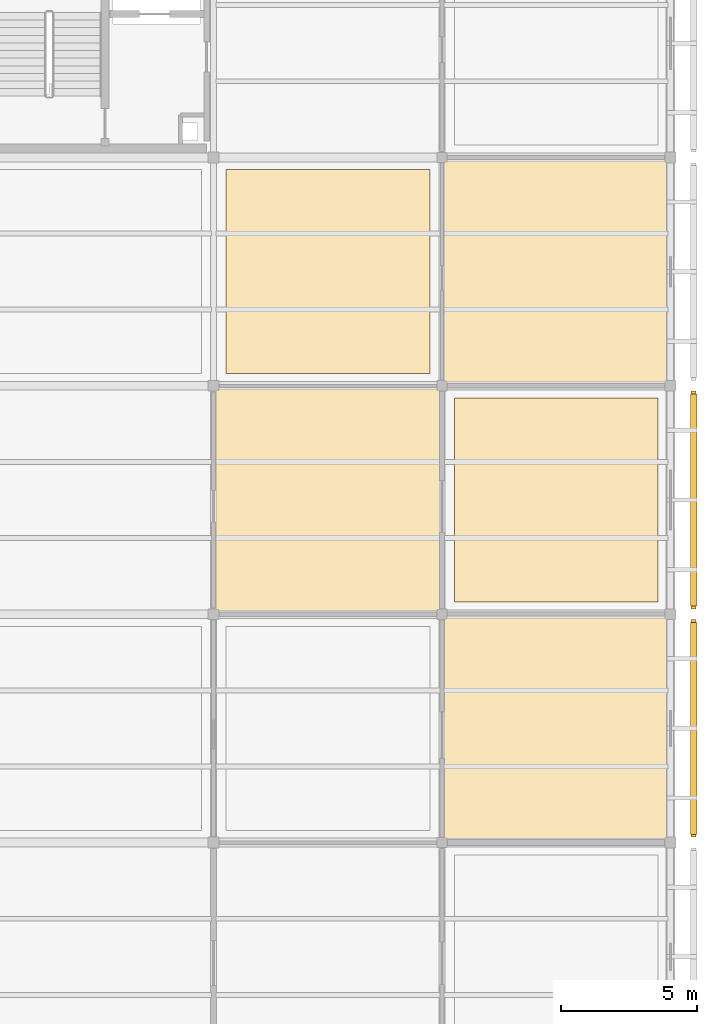
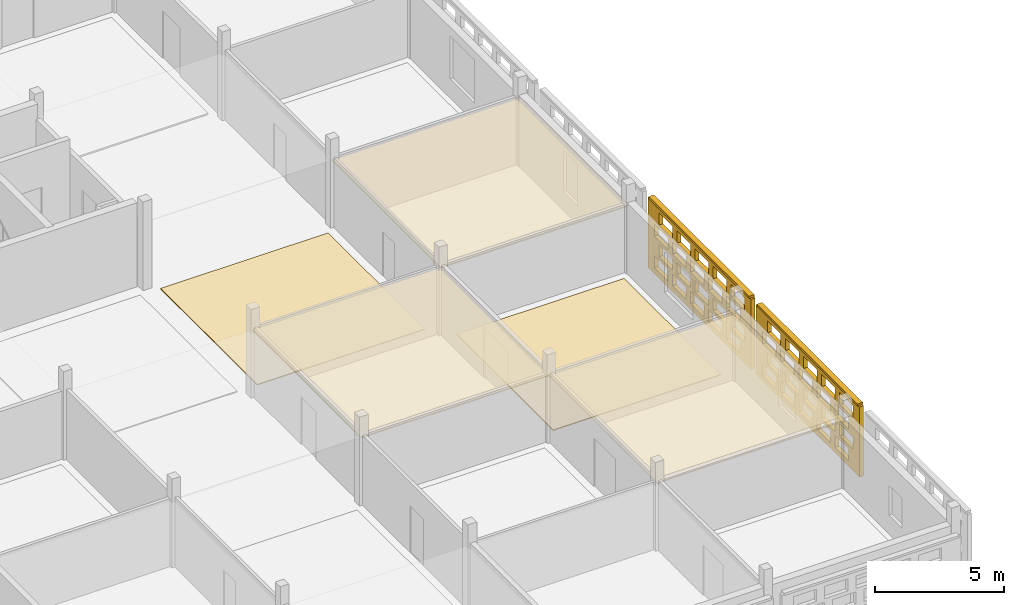
# One storey, part 134 of 140: 7 coverings, 2 shading devices, 40 openings.
"""IFC4 building model written with IfcOpenShell, lengths in metres."""

import ifcopenshell
import ifcopenshell.guid

model = None  # the IFC model being written
_history = None  # IfcOwnerHistory: only IFC2X3 demands one
_inside = {}  # id of a spatial element -> (the spatial element, [elements in it])
_under = {}  # id of a project, library or spatial element -> (it, [spatial elements below it])
_declared = {}  # id of a project -> (the project, [libraries it declares])
_typed = {}  # id of a type object -> (the type object, [elements of that type])
_made_of = {}  # id of a material, layer set ... -> (it, [elements and type objects made of it])


def new_model(schema):
    """Start an empty IFC model of exactly this schema.

    Asked for "IFC4X3", IfcOpenShell would pick the latest addendum, in which some entities
    have other attributes; the version numbers below select the first issue.
    IFC2X3 requires an IfcOwnerHistory on every rooted entity: one is made here for all.
    """
    global model, _history
    if schema == "IFC4X3":
        model = ifcopenshell.file(schema_version=(4, 3, 0, 0))
    else:
        model = ifcopenshell.file(schema=schema)
    _inside.clear()
    _under.clear()
    _declared.clear()
    _typed.clear()
    _made_of.clear()
    _history = None
    if model.schema == "IFC2X3":
        org = make("IfcOrganization", Name="unknown")
        user = make(
            "IfcPersonAndOrganization",
            ThePerson=make("IfcPerson", FamilyName="unknown"),
            TheOrganization=org,
        )
        app = make(
            "IfcApplication",
            ApplicationDeveloper=org,
            Version="unknown",
            ApplicationFullName="unknown",
            ApplicationIdentifier="unknown",
        )
        _history = make(
            "IfcOwnerHistory",
            OwningUser=user,
            OwningApplication=app,
            ChangeAction="ADDED",
            CreationDate=0,
        )
    return model


def make(cls, **values):
    """One entity of the class cls with the attributes given. An attribute that is None is left unset."""
    return model.create_entity(
        cls, **{name: value for name, value in values.items() if value is not None}
    )


def rooted(cls, **values):
    """An entity with a GlobalId (a new one), such as an element, a storey or a relation."""
    return make(cls, GlobalId=ifcopenshell.guid.new(), OwnerHistory=_history, **values)


def si_unit(unit_type, name, prefix=None):
    """IfcSIUnit, for example si_unit("LENGTHUNIT", "METRE", prefix="MILLI")."""
    return make("IfcSIUnit", UnitType=unit_type, Prefix=prefix, Name=name)


def assignment(units):
    """IfcUnitAssignment: the units of a project."""
    return None if units is None else make("IfcUnitAssignment", Units=units)


def point(xyz):
    """IfcCartesianPoint."""
    return None if xyz is None else make("IfcCartesianPoint", Coordinates=xyz)


def direction(xyz):
    """IfcDirection."""
    return None if xyz is None else make("IfcDirection", DirectionRatios=xyz)


def frame(location, z_axis=None, x_axis=None):
    """IfcAxis2Placement3D, a coordinate frame: its origin and axes. An axis left out is left unset."""
    return make(
        "IfcAxis2Placement3D",
        Location=point(location),
        Axis=direction(z_axis),
        RefDirection=direction(x_axis),
    )


def frame_2d(location, x_axis=None):
    """IfcAxis2Placement2D, a coordinate frame in the plane: its origin and x axis."""
    return make(
        "IfcAxis2Placement2D", Location=point(location), RefDirection=direction(x_axis)
    )


def origin():
    """The frame at (0, 0, 0) with its axes left unset."""
    return frame((0.0, 0.0, 0.0))


def origin_2d():
    """The frame at (0, 0) in the plane with its x axis left unset."""
    return frame_2d((0.0, 0.0))


def place(relative_to, where):
    """IfcLocalPlacement: puts the frame where relative to a parent placement (None: the world)."""
    return make(
        "IfcLocalPlacement", PlacementRelTo=relative_to, RelativePlacement=where
    )


def context(
    kind, dimensions, precision=None, world=None, true_north=None, identifier=None
):
    """IfcGeometricRepresentationContext, for example the 3D "Model" context."""
    return make(
        "IfcGeometricRepresentationContext",
        ContextIdentifier=identifier,
        ContextType=kind,
        CoordinateSpaceDimension=dimensions,
        Precision=precision,
        WorldCoordinateSystem=world,
        TrueNorth=true_north,
    )


def subcontext(parent, identifier, kind, view, scale=None):
    """IfcGeometricRepresentationSubContext, for example "Body" below "Model"."""
    return make(
        "IfcGeometricRepresentationSubContext",
        ContextIdentifier=identifier,
        ContextType=kind,
        ParentContext=parent,
        TargetScale=scale,
        TargetView=view,
    )


def project(units=None, contexts=None):
    """IfcProject with its units and contexts."""
    return rooted(
        "IfcProject",
        Name="project",
        RepresentationContexts=contexts,
        UnitsInContext=assignment(units),
    )


def spatial(cls, under=None, at=None, **own):
    """A site, building, storey or space (cls), placed at a placement, below another one or the project."""
    s = rooted(cls, ObjectPlacement=at, **own)
    if under is not None:
        _under.setdefault(under.id(), (under, []))[1].append(s)
    return s


def profile(cls, at=None, kind="AREA", **sizes):
    """A parametric profile (cls). Its sizes go by their IFC names, for example OverallWidth=200.0."""
    return make(cls, ProfileType=kind, Position=at, **sizes)


def rectangle(**sizes):
    """IfcRectangleProfileDef."""
    return profile("IfcRectangleProfileDef", **sizes)


def extrude(swept, where, along, depth):
    """IfcExtrudedAreaSolid: the profile swept, set in the frame where, extruded along a direction by depth."""
    return make(
        "IfcExtrudedAreaSolid",
        SweptArea=swept,
        Position=where,
        ExtrudedDirection=direction(along),
        Depth=depth,
    )


def shape(context_of_items, identifier, shape_type, items):
    """IfcShapeRepresentation: the items that make up one representation, for example the "Body"."""
    return make(
        "IfcShapeRepresentation",
        ContextOfItems=context_of_items,
        RepresentationIdentifier=identifier,
        RepresentationType=shape_type,
        Items=items,
    )


def material(Name=None, Category=None):
    """IfcMaterial."""
    return make("IfcMaterial", Name=Name, Category=Category)


def layer(
    of_material, thickness, ventilated=None, Name=None, Category=None, Priority=None
):
    """IfcMaterialLayer: one layer of a wall or slab, of a material (None: an air gap)."""
    return make(
        "IfcMaterialLayer",
        Material=of_material,
        LayerThickness=thickness,
        IsVentilated=ventilated,
        Name=Name,
        Category=Category,
        Priority=Priority,
    )


def layer_set(layers, Name=None):
    """IfcMaterialLayerSet."""
    return make("IfcMaterialLayerSet", MaterialLayers=layers, LayerSetName=Name)


def made_of(thing, what):
    """Note that an element or type object is made of a material, layer set ...; save() writes the relation."""
    if what is not None:
        _made_of.setdefault(what.id(), (what, []))[1].append(thing)
    return thing


def type_object(cls, material=None, **own):
    """A type object (cls), such as IfcWallType, which elements share."""
    return made_of(rooted(cls, **own), material)


def element(
    cls,
    number,
    at=None,
    inside=None,
    cuts=None,
    type_object=None,
    material=None,
    context=None,
    identifier="Body",
    shape_type=None,
    held_by="IfcProductDefinitionShape",
    body=None,
    shapes=None,
    **own,
):
    """One element of the class cls, such as IfcWall. Its Tag is "e" and its number.

    at: its placement. inside: the storey or other place that contains it. cuts: it is an
    opening in that element (IfcRelVoidsElement). A single representation is given by context,
    identifier, shape_type and body (its items); several are given by shapes. held_by: the class
    of the entity that holds the representations. save() writes the other relations.
    """
    e = rooted(cls, Tag="e%d" % number, ObjectPlacement=at, **own)
    if body is not None:
        shapes = [shape(context, identifier, shape_type, body)]
    if shapes is not None:
        e.Representation = make(held_by, Representations=shapes)
    if inside is not None:
        _inside.setdefault(inside.id(), (inside, []))[1].append(e)
    if cuts is not None:
        rooted(
            "IfcRelVoidsElement", RelatingBuildingElement=cuts, RelatedOpeningElement=e
        )
    if type_object is not None:
        _typed.setdefault(type_object.id(), (type_object, []))[1].append(e)
    return made_of(e, material)


def aggregate(whole, parts):
    """IfcRelAggregates: a whole, such as a stair, and the parts it consists of."""
    return rooted("IfcRelAggregates", RelatingObject=whole, RelatedObjects=parts)


def save(model, path):
    """Write the relations noted so far, then the file.

    IfcRelAggregates (storeys below a building ...), IfcRelContainedInSpatialStructure (elements
    in a storey), IfcRelDefinesByType, IfcRelAssociatesMaterial and IfcRelDeclares: one each for
    every whole, place, type object, material and project.
    """
    for whole, parts in _under.values():
        aggregate(whole, parts)
    for where, things in _inside.values():
        rooted(
            "IfcRelContainedInSpatialStructure",
            RelatedElements=things,
            RelatingStructure=where,
        )
    for kind, things in _typed.values():
        rooted("IfcRelDefinesByType", RelatedObjects=things, RelatingType=kind)
    for what, things in _made_of.values():
        rooted("IfcRelAssociatesMaterial", RelatedObjects=things, RelatingMaterial=what)
    for by, libraries in _declared.values():
        rooted("IfcRelDeclares", RelatingContext=by, RelatedDefinitions=libraries)
    model.write(path)


model = new_model("IFC4")

# Units and contexts
model_context = context("Model", 3, precision=1e-05, world=origin(), true_north=direction((0.0, 1.0)))
body_context = subcontext(model_context, "Body", "Model", "MODEL_VIEW")
ifc_project = project(units=[si_unit("LENGTHUNIT", "METRE"), si_unit("AREAUNIT", "SQUARE_METRE"), si_unit("VOLUMEUNIT", "CUBIC_METRE"), si_unit("PLANEANGLEUNIT", "RADIAN"), si_unit("MASSUNIT", "GRAM", prefix="KILO")], contexts=[model_context])

# Site, building, storey
site_placement = place(None, origin())
site = spatial("IfcSite", under=ifc_project, at=site_placement, CompositionType="ELEMENT")
building_placement = place(site_placement, origin())
building = spatial("IfcBuilding", under=site, at=building_placement, Name="Varnapada Polytechnic", CompositionType="ELEMENT")
storey_placement = place(building_placement, frame((0.0, 0.0, 13.800048828125)))
storey = spatial("IfcBuildingStorey", under=building, at=storey_placement, Name="L03", CompositionType="ELEMENT", Elevation=13.800048828125)

# Coverings
ifc_material_1 = material(Name="Acoustic Rubber Seminar Flooring")
ifc_layer_1 = layer(ifc_material_1, 0.0400390625)
ifc_layer_set_1 = layer_set([ifc_layer_1], Name="Acoustic Rubber Seminar Flooring")
covering_type_1 = type_object("IfcCoveringType", Name="Floor Finish FLR-06", PredefinedType="FLOORING", material=ifc_layer_set_1)
for number, where, z_axis, x_axis, name in (
    (1, (163.800048828125, 88.199951171875, 0.0), (0.0, 0.0, 1.0), (1.0, 0.0, 0.0), "L03 floor finish panel (20,11)"),
    (2, (172.199951171875, 79.800048828125, 0.0), (0.0, 0.0, 1.0), (1.0, 0.0, 0.0), "L03 floor finish panel (21,10)"),
):
    element("IfcCovering", number, at=place(storey_placement, frame(where, z_axis=z_axis, x_axis=x_axis)), inside=storey, type_object=covering_type_1, Name=name, PredefinedType="FLOORING", context=body_context, shape_type="SweptSolid", body=[
        extrude(rectangle(XDim=7.5, YDim=7.5, at=origin_2d()), origin(), (0.0, 0.0, 1.0), 0.0400390625),
    ])
ifc_material_2 = material(Name="Moisture-Resistant Aluminum Baffle Ceiling", Category="aluminium")
ifc_layer_2 = layer(ifc_material_2, 0.030029296875)
ifc_layer_set_2 = layer_set([ifc_layer_2], Name="Moisture-Resistant Aluminum Baffle Ceiling")
covering_type_2 = type_object("IfcCoveringType", Name="Suspended Ceiling CLG-03", PredefinedType="CEILING", material=ifc_layer_set_2)
covering_1_placement = place(storey_placement, frame((172.199951171875, 71.39990234375, 3.03515625), z_axis=(0.0, 0.0, 1.0), x_axis=(1.0, 0.0, 0.0)))
element("IfcCovering", 3, at=covering_1_placement, inside=storey, type_object=covering_type_2, Name="L03 suspended acoustic ceiling (21,9)", PredefinedType="CEILING", context=body_context, shape_type="SweptSolid", body=[
    extrude(rectangle(XDim=8.419921875, YDim=8.419921875, at=origin_2d()), origin(), (0.0, 0.0, 1.0), 0.030029296875),
])
ifc_material_3 = material(Name="Micro-Perforated Gypsum Acoustic Ceiling")
ifc_layer_3 = layer(ifc_material_3, 0.044921875)
ifc_layer_set_3 = layer_set([ifc_layer_3], Name="Micro-Perforated Gypsum Acoustic Ceiling")
covering_type_3 = type_object("IfcCoveringType", Name="Suspended Ceiling CLG-04", PredefinedType="CEILING", material=ifc_layer_set_3)
covering_2_placement = place(storey_placement, frame((163.800048828125, 79.800048828125, 3.027587890625), z_axis=(0.0, 0.0, 1.0), x_axis=(1.0, 0.0, 0.0)))
element("IfcCovering", 4, at=covering_2_placement, inside=storey, type_object=covering_type_3, Name="L03 suspended acoustic ceiling (20,10)", PredefinedType="CEILING", context=body_context, shape_type="SweptSolid", body=[
    extrude(rectangle(XDim=8.419921875, YDim=8.419921875, at=origin_2d()), origin(), (0.0, 0.0, 1.0), 0.044921875),
])
ifc_material_4 = material(Name="Slatted Merbau Timber Acoustic Ceiling", Category="wood")
ifc_layer_4 = layer(ifc_material_4, 0.054931640625)
ifc_layer_set_4 = layer_set([ifc_layer_4], Name="Slatted Merbau Timber Acoustic Ceiling")
covering_type_4 = type_object("IfcCoveringType", Name="Suspended Ceiling CLG-05", PredefinedType="CEILING", material=ifc_layer_set_4)
covering_3_placement = place(storey_placement, frame((172.199951171875, 88.199951171875, 3.0224609375), z_axis=(0.0, 0.0, 1.0), x_axis=(1.0, 0.0, 0.0)))
element("IfcCovering", 5, at=covering_3_placement, inside=storey, type_object=covering_type_4, Name="L03 suspended acoustic ceiling (21,11)", PredefinedType="CEILING", context=body_context, shape_type="SweptSolid", body=[
    extrude(rectangle(XDim=8.419921875, YDim=8.419921875, at=origin_2d()), origin(), (0.0, 0.0, 1.0), 0.054931640625),
])

# Covering, openings
ifc_material_5 = material(Name="Earth-toned architectural terracotta screen block", Category="masonry")
ifc_layer_5 = layer(ifc_material_5, 0.1201171875)
ifc_layer_set_5 = layer_set([ifc_layer_5], Name="Earth-toned architectural terracotta screen block")
covering_type_5 = type_object("IfcCoveringType", Name="Terracotta Screen Cladding CLD-01", PredefinedType="CLADDING", material=ifc_layer_set_5)
covering_4_placement = place(storey_placement, frame((177.25, 75.39990234375, 0.0), z_axis=(0.0, 0.0, 1.0), x_axis=(0.0, -1.0, 0.0)))
covering_4 = element("IfcCovering", 6, at=covering_4_placement, inside=storey, type_object=covering_type_5, Name="L03 perforated terracotta block screen (94)", PredefinedType="CLADDING", context=body_context, shape_type="SweptSolid", body=[
    extrude(rectangle(XDim=8.0, YDim=0.179931640625, at=frame_2d((4.0, 0.0))), origin(), (0.0, 0.0, 1.0), 3.320068359375),
])
opening_1_placement = place(covering_4_placement, frame((0.5, 0.0, 0.265625)))
element("IfcOpeningElement", 7, at=opening_1_placement, cuts=covering_4, Name="Screen perforation TBS-L03-093.1", PredefinedType="OPENING", context=body_context, shape_type="SweptSolid", body=[
    extrude(rectangle(XDim=1.0400390625, YDim=0.5810546875, at=frame_2d((0.52001953125, 0.29052734375))), frame((0.0, 0.099853515625, 0.0), z_axis=(0.0, -1.0, 0.0), x_axis=(1.0, 0.0, 0.0)), (0.0, 0.0, 1.0), 0.199951171875),
])
opening_2_placement = place(covering_4_placement, frame((1.89990234375, 0.0, 0.265625)))
element("IfcOpeningElement", 8, at=opening_2_placement, cuts=covering_4, Name="Screen perforation TBS-L03-093.2", PredefinedType="OPENING", context=body_context, shape_type="SweptSolid", body=[
    extrude(rectangle(XDim=1.0400390625, YDim=0.5810546875, at=frame_2d((0.52001953125, 0.29052734375))), frame((0.0, 0.099853515625, 0.0), z_axis=(0.0, -1.0, 0.0), x_axis=(1.0, 0.0, 0.0)), (0.0, 0.0, 1.0), 0.199951171875),
])
opening_3_placement = place(covering_4_placement, frame((3.300048828125, 0.0, 0.265625)))
element("IfcOpeningElement", 9, at=opening_3_placement, cuts=covering_4, Name="Screen perforation TBS-L03-093.3", PredefinedType="OPENING", context=body_context, shape_type="SweptSolid", body=[
    extrude(rectangle(XDim=1.0400390625, YDim=0.5810546875, at=frame_2d((0.52001953125, 0.29052734375))), frame((0.0, 0.099853515625, 0.0), z_axis=(0.0, -1.0, 0.0), x_axis=(1.0, 0.0, 0.0)), (0.0, 0.0, 1.0), 0.199951171875),
])
opening_4_placement = place(covering_4_placement, frame((4.699951171875, 0.0, 0.265625)))
element("IfcOpeningElement", 10, at=opening_4_placement, cuts=covering_4, Name="Screen perforation TBS-L03-093.4", PredefinedType="OPENING", context=body_context, shape_type="SweptSolid", body=[
    extrude(rectangle(XDim=1.0400390625, YDim=0.5810546875, at=frame_2d((0.52001953125, 0.29052734375))), frame((0.0, 0.099853515625, 0.0), z_axis=(0.0, -1.0, 0.0), x_axis=(1.0, 0.0, 0.0)), (0.0, 0.0, 1.0), 0.199951171875),
])
opening_5_placement = place(covering_4_placement, frame((6.10009765625, 0.0, 0.265625)))
element("IfcOpeningElement", 11, at=opening_5_placement, cuts=covering_4, Name="Screen perforation TBS-L03-093.5", PredefinedType="OPENING", context=body_context, shape_type="SweptSolid", body=[
    extrude(rectangle(XDim=1.0400390625, YDim=0.5810546875, at=frame_2d((0.52001953125, 0.29052734375))), frame((0.0, 0.099853515625, 0.0), z_axis=(0.0, -1.0, 0.0), x_axis=(1.0, 0.0, 0.0)), (0.0, 0.0, 1.0), 0.199951171875),
])
opening_6_placement = place(covering_4_placement, frame((0.860107421875, 0.0, 1.0126953125)))
element("IfcOpeningElement", 12, at=opening_6_placement, cuts=covering_4, Name="Screen perforation TBS-L03-093.6", PredefinedType="OPENING", context=body_context, shape_type="SweptSolid", body=[
    extrude(rectangle(XDim=1.0400390625, YDim=0.5810546875, at=frame_2d((0.52001953125, 0.29052734375))), frame((0.0, 0.099853515625, 0.0), z_axis=(0.0, -1.0, 0.0), x_axis=(1.0, 0.0, 0.0)), (0.0, 0.0, 1.0), 0.199951171875),
])
opening_7_placement = place(covering_4_placement, frame((2.260009765625, 0.0, 1.0126953125)))
element("IfcOpeningElement", 13, at=opening_7_placement, cuts=covering_4, Name="Screen perforation TBS-L03-093.7", PredefinedType="OPENING", context=body_context, shape_type="SweptSolid", body=[
    extrude(rectangle(XDim=1.0400390625, YDim=0.5810546875, at=frame_2d((0.52001953125, 0.29052734375))), frame((0.0, 0.099853515625, 0.0), z_axis=(0.0, -1.0, 0.0), x_axis=(1.0, 0.0, 0.0)), (0.0, 0.0, 1.0), 0.199951171875),
])
opening_8_placement = place(covering_4_placement, frame((3.659912109375, 0.0, 1.0126953125)))
element("IfcOpeningElement", 14, at=opening_8_placement, cuts=covering_4, Name="Screen perforation TBS-L03-093.8", PredefinedType="OPENING", context=body_context, shape_type="SweptSolid", body=[
    extrude(rectangle(XDim=1.0400390625, YDim=0.5810546875, at=frame_2d((0.52001953125, 0.29052734375))), frame((0.0, 0.099853515625, 0.0), z_axis=(0.0, -1.0, 0.0), x_axis=(1.0, 0.0, 0.0)), (0.0, 0.0, 1.0), 0.199951171875),
])
opening_9_placement = place(covering_4_placement, frame((5.06005859375, 0.0, 1.0126953125)))
element("IfcOpeningElement", 15, at=opening_9_placement, cuts=covering_4, Name="Screen perforation TBS-L03-093.9", PredefinedType="OPENING", context=body_context, shape_type="SweptSolid", body=[
    extrude(rectangle(XDim=1.0400390625, YDim=0.5810546875, at=frame_2d((0.52001953125, 0.29052734375))), frame((0.0, 0.099853515625, 0.0), z_axis=(0.0, -1.0, 0.0), x_axis=(1.0, 0.0, 0.0)), (0.0, 0.0, 1.0), 0.199951171875),
])
opening_10_placement = place(covering_4_placement, frame((6.4599609375, 0.0, 1.0126953125)))
element("IfcOpeningElement", 16, at=opening_10_placement, cuts=covering_4, Name="Screen perforation TBS-L03-093.10", PredefinedType="OPENING", context=body_context, shape_type="SweptSolid", body=[
    extrude(rectangle(XDim=1.0400390625, YDim=0.5810546875, at=frame_2d((0.52001953125, 0.29052734375))), frame((0.0, 0.099853515625, 0.0), z_axis=(0.0, -1.0, 0.0), x_axis=(1.0, 0.0, 0.0)), (0.0, 0.0, 1.0), 0.199951171875),
])
opening_11_placement = place(covering_4_placement, frame((0.5, 0.0, 1.759521484375)))
element("IfcOpeningElement", 17, at=opening_11_placement, cuts=covering_4, Name="Screen perforation TBS-L03-093.11", PredefinedType="OPENING", context=body_context, shape_type="SweptSolid", body=[
    extrude(rectangle(XDim=1.0400390625, YDim=0.5810546875, at=frame_2d((0.52001953125, 0.29052734375))), frame((0.0, 0.099853515625, 0.0), z_axis=(0.0, -1.0, 0.0), x_axis=(1.0, 0.0, 0.0)), (0.0, 0.0, 1.0), 0.199951171875),
])
opening_12_placement = place(covering_4_placement, frame((1.89990234375, 0.0, 1.759521484375)))
element("IfcOpeningElement", 18, at=opening_12_placement, cuts=covering_4, Name="Screen perforation TBS-L03-093.12", PredefinedType="OPENING", context=body_context, shape_type="SweptSolid", body=[
    extrude(rectangle(XDim=1.0400390625, YDim=0.5810546875, at=frame_2d((0.52001953125, 0.29052734375))), frame((0.0, 0.099853515625, 0.0), z_axis=(0.0, -1.0, 0.0), x_axis=(1.0, 0.0, 0.0)), (0.0, 0.0, 1.0), 0.199951171875),
])
opening_13_placement = place(covering_4_placement, frame((3.300048828125, 0.0, 1.759521484375)))
element("IfcOpeningElement", 19, at=opening_13_placement, cuts=covering_4, Name="Screen perforation TBS-L03-093.13", PredefinedType="OPENING", context=body_context, shape_type="SweptSolid", body=[
    extrude(rectangle(XDim=1.0400390625, YDim=0.5810546875, at=frame_2d((0.52001953125, 0.29052734375))), frame((0.0, 0.099853515625, 0.0), z_axis=(0.0, -1.0, 0.0), x_axis=(1.0, 0.0, 0.0)), (0.0, 0.0, 1.0), 0.199951171875),
])
opening_14_placement = place(covering_4_placement, frame((4.699951171875, 0.0, 1.759521484375)))
element("IfcOpeningElement", 20, at=opening_14_placement, cuts=covering_4, Name="Screen perforation TBS-L03-093.14", PredefinedType="OPENING", context=body_context, shape_type="SweptSolid", body=[
    extrude(rectangle(XDim=1.0400390625, YDim=0.5810546875, at=frame_2d((0.52001953125, 0.29052734375))), frame((0.0, 0.099853515625, 0.0), z_axis=(0.0, -1.0, 0.0), x_axis=(1.0, 0.0, 0.0)), (0.0, 0.0, 1.0), 0.199951171875),
])
opening_15_placement = place(covering_4_placement, frame((6.10009765625, 0.0, 1.759521484375)))
element("IfcOpeningElement", 21, at=opening_15_placement, cuts=covering_4, Name="Screen perforation TBS-L03-093.15", PredefinedType="OPENING", context=body_context, shape_type="SweptSolid", body=[
    extrude(rectangle(XDim=1.0400390625, YDim=0.5810546875, at=frame_2d((0.52001953125, 0.29052734375))), frame((0.0, 0.099853515625, 0.0), z_axis=(0.0, -1.0, 0.0), x_axis=(1.0, 0.0, 0.0)), (0.0, 0.0, 1.0), 0.199951171875),
])
opening_16_placement = place(covering_4_placement, frame((0.860107421875, 0.0, 2.506591796875)))
element("IfcOpeningElement", 22, at=opening_16_placement, cuts=covering_4, Name="Screen perforation TBS-L03-093.16", PredefinedType="OPENING", context=body_context, shape_type="SweptSolid", body=[
    extrude(rectangle(XDim=1.0400390625, YDim=0.5810546875, at=frame_2d((0.52001953125, 0.29052734375))), frame((0.0, 0.099853515625, 0.0), z_axis=(0.0, -1.0, 0.0), x_axis=(1.0, 0.0, 0.0)), (0.0, 0.0, 1.0), 0.199951171875),
])
opening_17_placement = place(covering_4_placement, frame((2.260009765625, 0.0, 2.506591796875)))
element("IfcOpeningElement", 23, at=opening_17_placement, cuts=covering_4, Name="Screen perforation TBS-L03-093.17", PredefinedType="OPENING", context=body_context, shape_type="SweptSolid", body=[
    extrude(rectangle(XDim=1.0400390625, YDim=0.5810546875, at=frame_2d((0.52001953125, 0.29052734375))), frame((0.0, 0.099853515625, 0.0), z_axis=(0.0, -1.0, 0.0), x_axis=(1.0, 0.0, 0.0)), (0.0, 0.0, 1.0), 0.199951171875),
])
opening_18_placement = place(covering_4_placement, frame((3.659912109375, 0.0, 2.506591796875)))
element("IfcOpeningElement", 24, at=opening_18_placement, cuts=covering_4, Name="Screen perforation TBS-L03-093.18", PredefinedType="OPENING", context=body_context, shape_type="SweptSolid", body=[
    extrude(rectangle(XDim=1.0400390625, YDim=0.5810546875, at=frame_2d((0.52001953125, 0.29052734375))), frame((0.0, 0.099853515625, 0.0), z_axis=(0.0, -1.0, 0.0), x_axis=(1.0, 0.0, 0.0)), (0.0, 0.0, 1.0), 0.199951171875),
])
opening_19_placement = place(covering_4_placement, frame((5.06005859375, 0.0, 2.506591796875)))
element("IfcOpeningElement", 25, at=opening_19_placement, cuts=covering_4, Name="Screen perforation TBS-L03-093.19", PredefinedType="OPENING", context=body_context, shape_type="SweptSolid", body=[
    extrude(rectangle(XDim=1.0400390625, YDim=0.5810546875, at=frame_2d((0.52001953125, 0.29052734375))), frame((0.0, 0.099853515625, 0.0), z_axis=(0.0, -1.0, 0.0), x_axis=(1.0, 0.0, 0.0)), (0.0, 0.0, 1.0), 0.199951171875),
])
opening_20_placement = place(covering_4_placement, frame((6.4599609375, 0.0, 2.506591796875)))
element("IfcOpeningElement", 26, at=opening_20_placement, cuts=covering_4, Name="Screen perforation TBS-L03-093.20", PredefinedType="OPENING", context=body_context, shape_type="SweptSolid", body=[
    extrude(rectangle(XDim=1.0400390625, YDim=0.5810546875, at=frame_2d((0.52001953125, 0.29052734375))), frame((0.0, 0.099853515625, 0.0), z_axis=(0.0, -1.0, 0.0), x_axis=(1.0, 0.0, 0.0)), (0.0, 0.0, 1.0), 0.199951171875),
])

covering_5_placement = place(storey_placement, frame((177.25, 83.800048828125, 0.0), z_axis=(0.0, 0.0, 1.0), x_axis=(0.0, -1.0, 0.0)))
covering_5 = element("IfcCovering", 27, at=covering_5_placement, inside=storey, type_object=covering_type_5, Name="L03 perforated terracotta block screen (95)", PredefinedType="CLADDING", context=body_context, shape_type="SweptSolid", body=[
    extrude(rectangle(XDim=8.0, YDim=0.179931640625, at=frame_2d((4.0, 0.0))), origin(), (0.0, 0.0, 1.0), 3.320068359375),
])
opening_21_placement = place(covering_5_placement, frame((0.5, 0.0, 0.265625)))
element("IfcOpeningElement", 28, at=opening_21_placement, cuts=covering_5, Name="Screen perforation TBS-L03-094.1", PredefinedType="OPENING", context=body_context, shape_type="SweptSolid", body=[
    extrude(rectangle(XDim=1.0400390625, YDim=0.5810546875, at=frame_2d((0.52001953125, 0.29052734375))), frame((0.0, 0.099853515625, 0.0), z_axis=(0.0, -1.0, 0.0), x_axis=(1.0, 0.0, 0.0)), (0.0, 0.0, 1.0), 0.199951171875),
])
opening_22_placement = place(covering_5_placement, frame((1.89990234375, 0.0, 0.265625)))
element("IfcOpeningElement", 29, at=opening_22_placement, cuts=covering_5, Name="Screen perforation TBS-L03-094.2", PredefinedType="OPENING", context=body_context, shape_type="SweptSolid", body=[
    extrude(rectangle(XDim=1.0400390625, YDim=0.5810546875, at=frame_2d((0.52001953125, 0.29052734375))), frame((0.0, 0.099853515625, 0.0), z_axis=(0.0, -1.0, 0.0), x_axis=(1.0, 0.0, 0.0)), (0.0, 0.0, 1.0), 0.199951171875),
])
opening_23_placement = place(covering_5_placement, frame((3.300048828125, 0.0, 0.265625)))
element("IfcOpeningElement", 30, at=opening_23_placement, cuts=covering_5, Name="Screen perforation TBS-L03-094.3", PredefinedType="OPENING", context=body_context, shape_type="SweptSolid", body=[
    extrude(rectangle(XDim=1.0400390625, YDim=0.5810546875, at=frame_2d((0.52001953125, 0.29052734375))), frame((0.0, 0.099853515625, 0.0), z_axis=(0.0, -1.0, 0.0), x_axis=(1.0, 0.0, 0.0)), (0.0, 0.0, 1.0), 0.199951171875),
])
opening_24_placement = place(covering_5_placement, frame((4.699951171875, 0.0, 0.265625)))
element("IfcOpeningElement", 31, at=opening_24_placement, cuts=covering_5, Name="Screen perforation TBS-L03-094.4", PredefinedType="OPENING", context=body_context, shape_type="SweptSolid", body=[
    extrude(rectangle(XDim=1.0400390625, YDim=0.5810546875, at=frame_2d((0.52001953125, 0.29052734375))), frame((0.0, 0.099853515625, 0.0), z_axis=(0.0, -1.0, 0.0), x_axis=(1.0, 0.0, 0.0)), (0.0, 0.0, 1.0), 0.199951171875),
])
opening_25_placement = place(covering_5_placement, frame((6.10009765625, 0.0, 0.265625)))
element("IfcOpeningElement", 32, at=opening_25_placement, cuts=covering_5, Name="Screen perforation TBS-L03-094.5", PredefinedType="OPENING", context=body_context, shape_type="SweptSolid", body=[
    extrude(rectangle(XDim=1.0400390625, YDim=0.5810546875, at=frame_2d((0.52001953125, 0.29052734375))), frame((0.0, 0.099853515625, 0.0), z_axis=(0.0, -1.0, 0.0), x_axis=(1.0, 0.0, 0.0)), (0.0, 0.0, 1.0), 0.199951171875),
])
opening_26_placement = place(covering_5_placement, frame((0.860107421875, 0.0, 1.0126953125)))
element("IfcOpeningElement", 33, at=opening_26_placement, cuts=covering_5, Name="Screen perforation TBS-L03-094.6", PredefinedType="OPENING", context=body_context, shape_type="SweptSolid", body=[
    extrude(rectangle(XDim=1.0400390625, YDim=0.5810546875, at=frame_2d((0.52001953125, 0.29052734375))), frame((0.0, 0.099853515625, 0.0), z_axis=(0.0, -1.0, 0.0), x_axis=(1.0, 0.0, 0.0)), (0.0, 0.0, 1.0), 0.199951171875),
])
opening_27_placement = place(covering_5_placement, frame((2.260009765625, 0.0, 1.0126953125)))
element("IfcOpeningElement", 34, at=opening_27_placement, cuts=covering_5, Name="Screen perforation TBS-L03-094.7", PredefinedType="OPENING", context=body_context, shape_type="SweptSolid", body=[
    extrude(rectangle(XDim=1.0400390625, YDim=0.5810546875, at=frame_2d((0.52001953125, 0.29052734375))), frame((0.0, 0.099853515625, 0.0), z_axis=(0.0, -1.0, 0.0), x_axis=(1.0, 0.0, 0.0)), (0.0, 0.0, 1.0), 0.199951171875),
])
opening_28_placement = place(covering_5_placement, frame((3.659912109375, 0.0, 1.0126953125)))
element("IfcOpeningElement", 35, at=opening_28_placement, cuts=covering_5, Name="Screen perforation TBS-L03-094.8", PredefinedType="OPENING", context=body_context, shape_type="SweptSolid", body=[
    extrude(rectangle(XDim=1.0400390625, YDim=0.5810546875, at=frame_2d((0.52001953125, 0.29052734375))), frame((0.0, 0.099853515625, 0.0), z_axis=(0.0, -1.0, 0.0), x_axis=(1.0, 0.0, 0.0)), (0.0, 0.0, 1.0), 0.199951171875),
])
opening_29_placement = place(covering_5_placement, frame((5.06005859375, 0.0, 1.0126953125)))
element("IfcOpeningElement", 36, at=opening_29_placement, cuts=covering_5, Name="Screen perforation TBS-L03-094.9", PredefinedType="OPENING", context=body_context, shape_type="SweptSolid", body=[
    extrude(rectangle(XDim=1.0400390625, YDim=0.5810546875, at=frame_2d((0.52001953125, 0.29052734375))), frame((0.0, 0.099853515625, 0.0), z_axis=(0.0, -1.0, 0.0), x_axis=(1.0, 0.0, 0.0)), (0.0, 0.0, 1.0), 0.199951171875),
])
opening_30_placement = place(covering_5_placement, frame((6.4599609375, 0.0, 1.0126953125)))
element("IfcOpeningElement", 37, at=opening_30_placement, cuts=covering_5, Name="Screen perforation TBS-L03-094.10", PredefinedType="OPENING", context=body_context, shape_type="SweptSolid", body=[
    extrude(rectangle(XDim=1.0400390625, YDim=0.5810546875, at=frame_2d((0.52001953125, 0.29052734375))), frame((0.0, 0.099853515625, 0.0), z_axis=(0.0, -1.0, 0.0), x_axis=(1.0, 0.0, 0.0)), (0.0, 0.0, 1.0), 0.199951171875),
])
opening_31_placement = place(covering_5_placement, frame((0.5, 0.0, 1.759521484375)))
element("IfcOpeningElement", 38, at=opening_31_placement, cuts=covering_5, Name="Screen perforation TBS-L03-094.11", PredefinedType="OPENING", context=body_context, shape_type="SweptSolid", body=[
    extrude(rectangle(XDim=1.0400390625, YDim=0.5810546875, at=frame_2d((0.52001953125, 0.29052734375))), frame((0.0, 0.099853515625, 0.0), z_axis=(0.0, -1.0, 0.0), x_axis=(1.0, 0.0, 0.0)), (0.0, 0.0, 1.0), 0.199951171875),
])
opening_32_placement = place(covering_5_placement, frame((1.89990234375, 0.0, 1.759521484375)))
element("IfcOpeningElement", 39, at=opening_32_placement, cuts=covering_5, Name="Screen perforation TBS-L03-094.12", PredefinedType="OPENING", context=body_context, shape_type="SweptSolid", body=[
    extrude(rectangle(XDim=1.0400390625, YDim=0.5810546875, at=frame_2d((0.52001953125, 0.29052734375))), frame((0.0, 0.099853515625, 0.0), z_axis=(0.0, -1.0, 0.0), x_axis=(1.0, 0.0, 0.0)), (0.0, 0.0, 1.0), 0.199951171875),
])
opening_33_placement = place(covering_5_placement, frame((3.300048828125, 0.0, 1.759521484375)))
element("IfcOpeningElement", 40, at=opening_33_placement, cuts=covering_5, Name="Screen perforation TBS-L03-094.13", PredefinedType="OPENING", context=body_context, shape_type="SweptSolid", body=[
    extrude(rectangle(XDim=1.0400390625, YDim=0.5810546875, at=frame_2d((0.52001953125, 0.29052734375))), frame((0.0, 0.099853515625, 0.0), z_axis=(0.0, -1.0, 0.0), x_axis=(1.0, 0.0, 0.0)), (0.0, 0.0, 1.0), 0.199951171875),
])
opening_34_placement = place(covering_5_placement, frame((4.699951171875, 0.0, 1.759521484375)))
element("IfcOpeningElement", 41, at=opening_34_placement, cuts=covering_5, Name="Screen perforation TBS-L03-094.14", PredefinedType="OPENING", context=body_context, shape_type="SweptSolid", body=[
    extrude(rectangle(XDim=1.0400390625, YDim=0.5810546875, at=frame_2d((0.52001953125, 0.29052734375))), frame((0.0, 0.099853515625, 0.0), z_axis=(0.0, -1.0, 0.0), x_axis=(1.0, 0.0, 0.0)), (0.0, 0.0, 1.0), 0.199951171875),
])
opening_35_placement = place(covering_5_placement, frame((6.10009765625, 0.0, 1.759521484375)))
element("IfcOpeningElement", 42, at=opening_35_placement, cuts=covering_5, Name="Screen perforation TBS-L03-094.15", PredefinedType="OPENING", context=body_context, shape_type="SweptSolid", body=[
    extrude(rectangle(XDim=1.0400390625, YDim=0.5810546875, at=frame_2d((0.52001953125, 0.29052734375))), frame((0.0, 0.099853515625, 0.0), z_axis=(0.0, -1.0, 0.0), x_axis=(1.0, 0.0, 0.0)), (0.0, 0.0, 1.0), 0.199951171875),
])
opening_36_placement = place(covering_5_placement, frame((0.860107421875, 0.0, 2.506591796875)))
element("IfcOpeningElement", 43, at=opening_36_placement, cuts=covering_5, Name="Screen perforation TBS-L03-094.16", PredefinedType="OPENING", context=body_context, shape_type="SweptSolid", body=[
    extrude(rectangle(XDim=1.0400390625, YDim=0.5810546875, at=frame_2d((0.52001953125, 0.29052734375))), frame((0.0, 0.099853515625, 0.0), z_axis=(0.0, -1.0, 0.0), x_axis=(1.0, 0.0, 0.0)), (0.0, 0.0, 1.0), 0.199951171875),
])
opening_37_placement = place(covering_5_placement, frame((2.260009765625, 0.0, 2.506591796875)))
element("IfcOpeningElement", 44, at=opening_37_placement, cuts=covering_5, Name="Screen perforation TBS-L03-094.17", PredefinedType="OPENING", context=body_context, shape_type="SweptSolid", body=[
    extrude(rectangle(XDim=1.0400390625, YDim=0.5810546875, at=frame_2d((0.52001953125, 0.29052734375))), frame((0.0, 0.099853515625, 0.0), z_axis=(0.0, -1.0, 0.0), x_axis=(1.0, 0.0, 0.0)), (0.0, 0.0, 1.0), 0.199951171875),
])
opening_38_placement = place(covering_5_placement, frame((3.659912109375, 0.0, 2.506591796875)))
element("IfcOpeningElement", 45, at=opening_38_placement, cuts=covering_5, Name="Screen perforation TBS-L03-094.18", PredefinedType="OPENING", context=body_context, shape_type="SweptSolid", body=[
    extrude(rectangle(XDim=1.0400390625, YDim=0.5810546875, at=frame_2d((0.52001953125, 0.29052734375))), frame((0.0, 0.099853515625, 0.0), z_axis=(0.0, -1.0, 0.0), x_axis=(1.0, 0.0, 0.0)), (0.0, 0.0, 1.0), 0.199951171875),
])
opening_39_placement = place(covering_5_placement, frame((5.06005859375, 0.0, 2.506591796875)))
element("IfcOpeningElement", 46, at=opening_39_placement, cuts=covering_5, Name="Screen perforation TBS-L03-094.19", PredefinedType="OPENING", context=body_context, shape_type="SweptSolid", body=[
    extrude(rectangle(XDim=1.0400390625, YDim=0.5810546875, at=frame_2d((0.52001953125, 0.29052734375))), frame((0.0, 0.099853515625, 0.0), z_axis=(0.0, -1.0, 0.0), x_axis=(1.0, 0.0, 0.0)), (0.0, 0.0, 1.0), 0.199951171875),
])
opening_40_placement = place(covering_5_placement, frame((6.4599609375, 0.0, 2.506591796875)))
element("IfcOpeningElement", 47, at=opening_40_placement, cuts=covering_5, Name="Screen perforation TBS-L03-094.20", PredefinedType="OPENING", context=body_context, shape_type="SweptSolid", body=[
    extrude(rectangle(XDim=1.0400390625, YDim=0.5810546875, at=frame_2d((0.52001953125, 0.29052734375))), frame((0.0, 0.099853515625, 0.0), z_axis=(0.0, -1.0, 0.0), x_axis=(1.0, 0.0, 0.0)), (0.0, 0.0, 1.0), 0.199951171875),
])

# Shading devices
ifc_layer_6 = layer(ifc_material_5, 0.179931640625)
ifc_layer_set_6 = layer_set([ifc_layer_6], Name="Earth-toned architectural terracotta screen block")
shading_device_type = type_object("IfcShadingDeviceType", Name="Terracotta Screen SCR-01", PredefinedType="USERDEFINED", material=ifc_layer_set_6)
for number, where, z_axis, x_axis, name in (
    (48, (177.25, 71.39990234375, 3.309814453125), (0.0, 0.0, 1.0), (0.0, -1.0, 0.0), "L03 perforated terracotta screen hood 416"),
    (49, (177.25, 79.800048828125, 3.309814453125), (0.0, 0.0, 1.0), (0.0, -1.0, 0.0), "L03 perforated terracotta screen hood 417"),
):
    element("IfcShadingDevice", number, at=place(storey_placement, frame(where, z_axis=z_axis, x_axis=x_axis)), inside=storey, type_object=shading_device_type, Name=name, ObjectType="SCREEN", PredefinedType="USERDEFINED", context=body_context, shape_type="SweptSolid", body=[
        extrude(rectangle(XDim=7.800048828125, YDim=0.239990234375, at=origin_2d()), origin(), (0.0, 0.0, 1.0), 0.10009765625),
    ])

save(model, "model.ifc")
